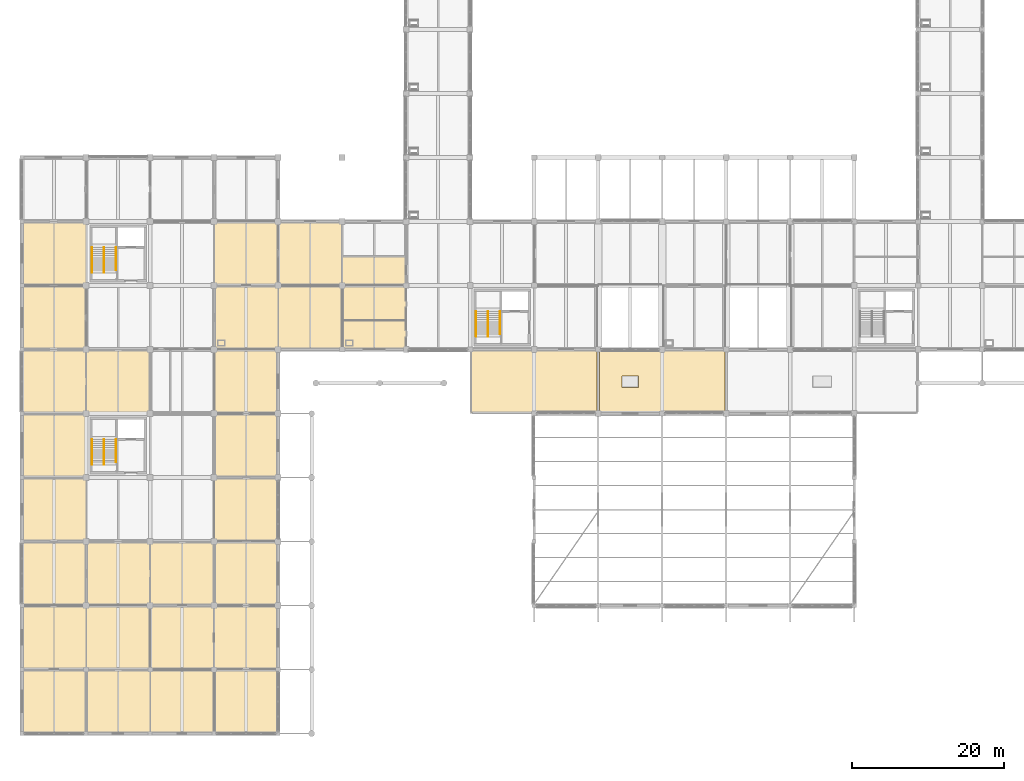
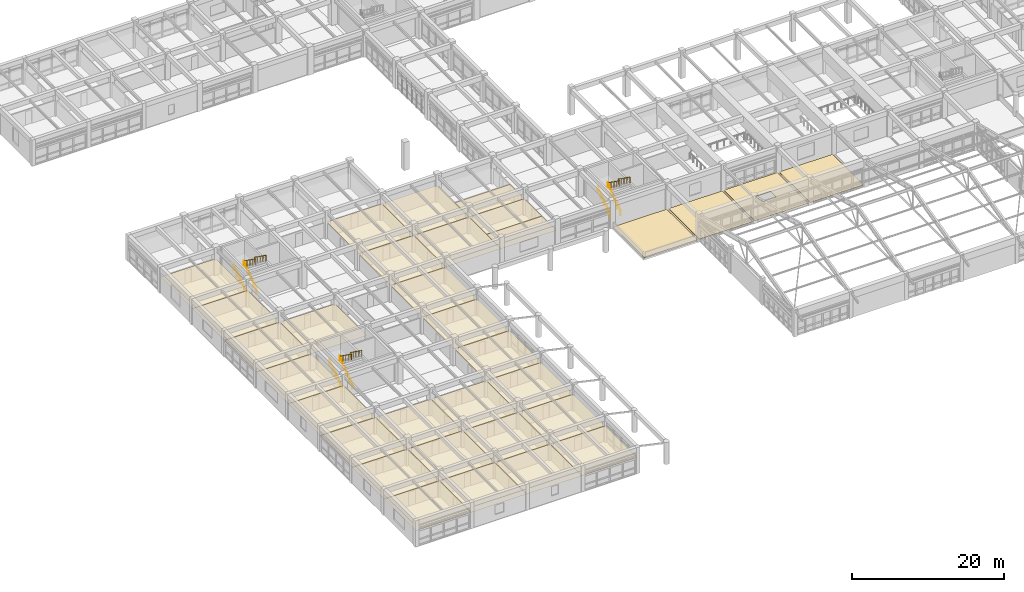
# One storey, part 96 of 99: 32 coverings, 12 railings.
"""IFC4 building model written with IfcOpenShell, lengths in metres."""

from ifc_helpers import new_model, si_unit, direction, frame, origin, origin_2d, place, context, subcontext, project, spatial, polyline, circle, outline, extrude, material, layer, layer_set, type_object, element, save


model = new_model("IFC4")

# Units and contexts
model_context = context("Model", 3, precision=1e-05, world=origin(), true_north=direction((0.0, 1.0)))
body_context = subcontext(model_context, "Body", "Model", "MODEL_VIEW")
ifc_project = project(units=[si_unit("LENGTHUNIT", "METRE"), si_unit("AREAUNIT", "SQUARE_METRE"), si_unit("VOLUMEUNIT", "CUBIC_METRE"), si_unit("PLANEANGLEUNIT", "RADIAN"), si_unit("MASSUNIT", "GRAM", prefix="KILO")], contexts=[model_context])

# Site, building, storey
site_placement = place(None, origin())
site = spatial("IfcSite", under=ifc_project, at=site_placement, CompositionType="ELEMENT")
building_placement = place(site_placement, origin())
building = spatial("IfcBuilding", under=site, at=building_placement, Name="Porcellanite Civic Hall", CompositionType="ELEMENT")
storey_placement = place(building_placement, frame((0.0, 0.0, 5.760009765625)))
storey = spatial("IfcBuildingStorey", under=building, at=storey_placement, Name="L01", CompositionType="ELEMENT", Elevation=5.760009765625)

# Coverings
ifc_material_1 = material(Name="Perforated acoustic mineral-fibre and spotted-gum batten ceiling")
ifc_layer_1 = layer(ifc_material_1, 0.02490234375)
ifc_layer_set_1 = layer_set([ifc_layer_1], Name="Perforated acoustic mineral-fibre and spotted-gum batten ceiling")
covering_type_1 = type_object("IfcCoveringType", Name="COV-CL1", PredefinedType="CEILING", material=ifc_layer_set_1)
covering_1_placement = place(storey_placement, frame((0.0, 0.0, 2.375)))
element("IfcCovering", 1, at=covering_1_placement, inside=storey, type_object=covering_type_1, Name="Acoustic ceiling Citizens Ombudsman Office L01-A", PredefinedType="CEILING", context=body_context, shape_type="SweptSolid", body=[
    extrude(outline(polyline([(42.010009765625, 50.409912109375), (50.389892578125, 50.409912109375), (50.389892578125, 54.18994140625), (42.010009765625, 54.18994140625), (42.010009765625, 50.409912109375)])), origin(), (0.0, 0.0, 1.0), 0.02490234375),
])
covering_2_placement = place(storey_placement, frame((0.0, 0.0, 2.375)))
element("IfcCovering", 2, at=covering_2_placement, inside=storey, type_object=covering_type_1, Name="Acoustic ceiling Legislative Counsel Office L01-B", PredefinedType="CEILING", context=body_context, shape_type="SweptSolid", body=[
    extrude(outline(polyline([(42.010009765625, 54.2099609375), (50.389892578125, 54.2099609375), (50.389892578125, 58.7900390625), (42.010009765625, 58.7900390625), (42.010009765625, 54.2099609375)])), origin(), (0.0, 0.0, 1.0), 0.02490234375),
])
covering_3_placement = place(storey_placement, frame((0.0, 0.0, 2.375)))
element("IfcCovering", 3, at=covering_3_placement, inside=storey, type_object=covering_type_1, Name="Acoustic ceiling Committee Briefing Room L01-A", PredefinedType="CEILING", context=body_context, shape_type="SweptSolid", body=[
    extrude(outline(polyline([(42.010009765625, 58.81005859375), (50.389892578125, 58.81005859375), (50.389892578125, 62.590087890625), (42.010009765625, 62.590087890625), (42.010009765625, 58.81005859375)])), origin(), (0.0, 0.0, 1.0), 0.02490234375),
])
covering_4_placement = place(storey_placement, frame((0.0, 0.0, 2.375)))
element("IfcCovering", 4, at=covering_4_placement, inside=storey, type_object=covering_type_1, Name="Acoustic ceiling Public Hearing Room L01-01", PredefinedType="CEILING", context=body_context, shape_type="SweptSolid", body=[
    extrude(outline(polyline([(0.010009765625, 0.010009765625), (8.389892578125, 0.010009765625), (8.389892578125, 8.389892578125), (0.010009765625, 8.389892578125), (0.010009765625, 0.010009765625)])), origin(), (0.0, 0.0, 1.0), 0.02490234375),
])
covering_5_placement = place(storey_placement, frame((0.0, 0.0, 2.375)))
element("IfcCovering", 5, at=covering_5_placement, inside=storey, type_object=covering_type_1, Name="Acoustic ceiling Hansard Witness Room L01-02", PredefinedType="CEILING", context=body_context, shape_type="SweptSolid", body=[
    extrude(outline(polyline([(0.010009765625, 8.409912109375), (8.389892578125, 8.409912109375), (8.389892578125, 16.7900390625), (0.010009765625, 16.7900390625), (0.010009765625, 8.409912109375)])), origin(), (0.0, 0.0, 1.0), 0.02490234375),
])
covering_6_placement = place(storey_placement, frame((0.0, 0.0, 2.375)))
element("IfcCovering", 6, at=covering_6_placement, inside=storey, type_object=covering_type_1, Name="Acoustic ceiling Committee Room L01-03", PredefinedType="CEILING", context=body_context, shape_type="SweptSolid", body=[
    extrude(outline(polyline([(0.010009765625, 16.81005859375), (8.389892578125, 16.81005859375), (8.389892578125, 25.18994140625), (0.010009765625, 25.18994140625), (0.010009765625, 16.81005859375)])), origin(), (0.0, 0.0, 1.0), 0.02490234375),
])
covering_7_placement = place(storey_placement, frame((0.0, 0.0, 2.375)))
element("IfcCovering", 7, at=covering_7_placement, inside=storey, type_object=covering_type_1, Name="Acoustic ceiling Standing Committee Suite L01-04", PredefinedType="CEILING", context=body_context, shape_type="SweptSolid", body=[
    extrude(outline(polyline([(0.010009765625, 25.2099609375), (8.389892578125, 25.2099609375), (8.389892578125, 33.590087890625), (0.010009765625, 33.590087890625), (0.010009765625, 25.2099609375)])), origin(), (0.0, 0.0, 1.0), 0.02490234375),
])
covering_8_placement = place(storey_placement, frame((0.0, 0.0, 2.375)))
element("IfcCovering", 8, at=covering_8_placement, inside=storey, type_object=covering_type_1, Name="Acoustic ceiling Legislative Inquiry Room L01-05", PredefinedType="CEILING", context=body_context, shape_type="SweptSolid", body=[
    extrude(outline(polyline([(0.010009765625, 33.610107421875), (8.389892578125, 33.610107421875), (8.389892578125, 41.989990234375), (0.010009765625, 41.989990234375), (0.010009765625, 33.610107421875)])), origin(), (0.0, 0.0, 1.0), 0.02490234375),
])
covering_9_placement = place(storey_placement, frame((0.0, 0.0, 2.375)))
element("IfcCovering", 9, at=covering_9_placement, inside=storey, type_object=covering_type_1, Name="Acoustic ceiling Public Hearing Room L01-06", PredefinedType="CEILING", context=body_context, shape_type="SweptSolid", body=[
    extrude(outline(polyline([(0.010009765625, 42.010009765625), (8.389892578125, 42.010009765625), (8.389892578125, 50.389892578125), (0.010009765625, 50.389892578125), (0.010009765625, 42.010009765625)])), origin(), (0.0, 0.0, 1.0), 0.02490234375),
])
covering_10_placement = place(storey_placement, frame((0.0, 0.0, 2.375)))
element("IfcCovering", 10, at=covering_10_placement, inside=storey, type_object=covering_type_1, Name="Acoustic ceiling Hansard Witness Room L01-07", PredefinedType="CEILING", context=body_context, shape_type="SweptSolid", body=[
    extrude(outline(polyline([(0.010009765625, 50.409912109375), (8.389892578125, 50.409912109375), (8.389892578125, 58.7900390625), (0.010009765625, 58.7900390625), (0.010009765625, 50.409912109375)])), origin(), (0.0, 0.0, 1.0), 0.02490234375),
])
covering_11_placement = place(storey_placement, frame((0.0, 0.0, 2.375)))
element("IfcCovering", 11, at=covering_11_placement, inside=storey, type_object=covering_type_1, Name="Acoustic ceiling Committee Room L01-08", PredefinedType="CEILING", context=body_context, shape_type="SweptSolid", body=[
    extrude(outline(polyline([(0.010009765625, 58.81005859375), (8.389892578125, 58.81005859375), (8.389892578125, 67.18994140625), (0.010009765625, 67.18994140625), (0.010009765625, 58.81005859375)])), origin(), (0.0, 0.0, 1.0), 0.02490234375),
])
covering_12_placement = place(storey_placement, frame((0.0, 0.0, 2.375)))
element("IfcCovering", 12, at=covering_12_placement, inside=storey, type_object=covering_type_1, Name="Acoustic ceiling Hansard Witness Room L01-12", PredefinedType="CEILING", context=body_context, shape_type="SweptSolid", body=[
    extrude(outline(polyline([(8.409912109375, 0.010009765625), (16.7900390625, 0.010009765625), (16.7900390625, 8.389892578125), (8.409912109375, 8.389892578125), (8.409912109375, 0.010009765625)])), origin(), (0.0, 0.0, 1.0), 0.02490234375),
])
covering_13_placement = place(storey_placement, frame((0.0, 0.0, 2.375)))
element("IfcCovering", 13, at=covering_13_placement, inside=storey, type_object=covering_type_1, Name="Acoustic ceiling Committee Room L01-13", PredefinedType="CEILING", context=body_context, shape_type="SweptSolid", body=[
    extrude(outline(polyline([(8.409912109375, 8.409912109375), (16.7900390625, 8.409912109375), (16.7900390625, 16.7900390625), (8.409912109375, 16.7900390625), (8.409912109375, 8.409912109375)])), origin(), (0.0, 0.0, 1.0), 0.02490234375),
])
covering_14_placement = place(storey_placement, frame((0.0, 0.0, 2.375)))
element("IfcCovering", 14, at=covering_14_placement, inside=storey, type_object=covering_type_1, Name="Acoustic ceiling Standing Committee Suite L01-14", PredefinedType="CEILING", context=body_context, shape_type="SweptSolid", body=[
    extrude(outline(polyline([(8.409912109375, 16.81005859375), (16.7900390625, 16.81005859375), (16.7900390625, 25.18994140625), (8.409912109375, 25.18994140625), (8.409912109375, 16.81005859375)])), origin(), (0.0, 0.0, 1.0), 0.02490234375),
])
covering_15_placement = place(storey_placement, frame((0.0, 0.0, 2.375)))
element("IfcCovering", 15, at=covering_15_placement, inside=storey, type_object=covering_type_1, Name="Acoustic ceiling Standing Committee Suite L01-16", PredefinedType="CEILING", context=body_context, shape_type="SweptSolid", body=[
    extrude(outline(polyline([(8.409912109375, 42.010009765625), (16.7900390625, 42.010009765625), (16.7900390625, 50.389892578125), (8.409912109375, 50.389892578125), (8.409912109375, 42.010009765625)])), origin(), (0.0, 0.0, 1.0), 0.02490234375),
])
covering_16_placement = place(storey_placement, frame((0.0, 0.0, 2.375)))
element("IfcCovering", 16, at=covering_16_placement, inside=storey, type_object=covering_type_1, Name="Acoustic ceiling Hansard Witness Room L01-21", PredefinedType="CEILING", context=body_context, shape_type="SweptSolid", body=[
    extrude(outline(polyline([(16.81005859375, 0.010009765625), (25.18994140625, 0.010009765625), (25.18994140625, 8.389892578125), (16.81005859375, 8.389892578125), (16.81005859375, 0.010009765625)])), origin(), (0.0, 0.0, 1.0), 0.02490234375),
])
covering_17_placement = place(storey_placement, frame((0.0, 0.0, 2.375)))
element("IfcCovering", 17, at=covering_17_placement, inside=storey, type_object=covering_type_1, Name="Acoustic ceiling Committee Room L01-22", PredefinedType="CEILING", context=body_context, shape_type="SweptSolid", body=[
    extrude(outline(polyline([(16.81005859375, 8.409912109375), (25.18994140625, 8.409912109375), (25.18994140625, 16.7900390625), (16.81005859375, 16.7900390625), (16.81005859375, 8.409912109375)])), origin(), (0.0, 0.0, 1.0), 0.02490234375),
])
covering_18_placement = place(storey_placement, frame((0.0, 0.0, 2.375)))
element("IfcCovering", 18, at=covering_18_placement, inside=storey, type_object=covering_type_1, Name="Acoustic ceiling Standing Committee Suite L01-23", PredefinedType="CEILING", context=body_context, shape_type="SweptSolid", body=[
    extrude(outline(polyline([(16.81005859375, 16.81005859375), (25.18994140625, 16.81005859375), (25.18994140625, 25.18994140625), (16.81005859375, 25.18994140625), (16.81005859375, 16.81005859375)])), origin(), (0.0, 0.0, 1.0), 0.02490234375),
])
covering_19_placement = place(storey_placement, frame((0.0, 0.0, 2.375)))
element("IfcCovering", 19, at=covering_19_placement, inside=storey, type_object=covering_type_1, Name="Acoustic ceiling Legislative Inquiry Room L01-31", PredefinedType="CEILING", context=body_context, shape_type="SweptSolid", body=[
    extrude(outline(polyline([(25.2099609375, 0.010009765625), (33.590087890625, 0.010009765625), (33.590087890625, 8.389892578125), (25.2099609375, 8.389892578125), (25.2099609375, 0.010009765625)])), origin(), (0.0, 0.0, 1.0), 0.02490234375),
])
covering_20_placement = place(storey_placement, frame((0.0, 0.0, 2.375)))
element("IfcCovering", 20, at=covering_20_placement, inside=storey, type_object=covering_type_1, Name="Acoustic ceiling Public Hearing Room L01-32", PredefinedType="CEILING", context=body_context, shape_type="SweptSolid", body=[
    extrude(outline(polyline([(25.2099609375, 8.409912109375), (33.590087890625, 8.409912109375), (33.590087890625, 16.7900390625), (25.2099609375, 16.7900390625), (25.2099609375, 8.409912109375)])), origin(), (0.0, 0.0, 1.0), 0.02490234375),
])
covering_21_placement = place(storey_placement, frame((0.0, 0.0, 2.375)))
element("IfcCovering", 21, at=covering_21_placement, inside=storey, type_object=covering_type_1, Name="Acoustic ceiling Hansard Witness Room L01-33", PredefinedType="CEILING", context=body_context, shape_type="SweptSolid", body=[
    extrude(outline(polyline([(25.2099609375, 16.81005859375), (33.590087890625, 16.81005859375), (33.590087890625, 25.18994140625), (25.2099609375, 25.18994140625), (25.2099609375, 16.81005859375)])), origin(), (0.0, 0.0, 1.0), 0.02490234375),
])
covering_22_placement = place(storey_placement, frame((0.0, 0.0, 2.375)))
element("IfcCovering", 22, at=covering_22_placement, inside=storey, type_object=covering_type_1, Name="Acoustic ceiling Committee Room L01-34", PredefinedType="CEILING", context=body_context, shape_type="SweptSolid", body=[
    extrude(outline(polyline([(25.2099609375, 25.2099609375), (33.590087890625, 25.2099609375), (33.590087890625, 33.590087890625), (25.2099609375, 33.590087890625), (25.2099609375, 25.2099609375)])), origin(), (0.0, 0.0, 1.0), 0.02490234375),
])
covering_23_placement = place(storey_placement, frame((0.0, 0.0, 2.375)))
element("IfcCovering", 23, at=covering_23_placement, inside=storey, type_object=covering_type_1, Name="Acoustic ceiling Standing Committee Suite L01-35", PredefinedType="CEILING", context=body_context, shape_type="SweptSolid", body=[
    extrude(outline(polyline([(25.2099609375, 33.610107421875), (33.590087890625, 33.610107421875), (33.590087890625, 41.989990234375), (25.2099609375, 41.989990234375), (25.2099609375, 33.610107421875)])), origin(), (0.0, 0.0, 1.0), 0.02490234375),
])
covering_24_placement = place(storey_placement, frame((0.0, 0.0, 2.375)))
element("IfcCovering", 24, at=covering_24_placement, inside=storey, type_object=covering_type_1, Name="Acoustic ceiling Legislative Inquiry Room L01-36", PredefinedType="CEILING", context=body_context, shape_type="SweptSolid", body=[
    extrude(outline(polyline([(25.2099609375, 42.010009765625), (33.590087890625, 42.010009765625), (33.590087890625, 50.389892578125), (25.2099609375, 50.389892578125), (25.2099609375, 42.010009765625)])), origin(), (0.0, 0.0, 1.0), 0.02490234375),
])
covering_25_placement = place(storey_placement, frame((0.0, 0.0, 2.375)))
element("IfcCovering", 25, at=covering_25_placement, inside=storey, type_object=covering_type_1, Name="Acoustic ceiling Public Hearing Room L01-37", PredefinedType="CEILING", context=body_context, shape_type="SweptSolid", body=[
    extrude(outline(polyline([(25.2099609375, 50.409912109375), (33.590087890625, 50.409912109375), (33.590087890625, 58.7900390625), (25.2099609375, 58.7900390625), (25.2099609375, 50.409912109375)])), origin(), (0.0, 0.0, 1.0), 0.02490234375),
])
covering_26_placement = place(storey_placement, frame((0.0, 0.0, 2.375)))
element("IfcCovering", 26, at=covering_26_placement, inside=storey, type_object=covering_type_1, Name="Acoustic ceiling Hansard Witness Room L01-38", PredefinedType="CEILING", context=body_context, shape_type="SweptSolid", body=[
    extrude(outline(polyline([(25.2099609375, 58.81005859375), (33.590087890625, 58.81005859375), (33.590087890625, 67.18994140625), (25.2099609375, 67.18994140625), (25.2099609375, 58.81005859375)])), origin(), (0.0, 0.0, 1.0), 0.02490234375),
])
covering_27_placement = place(storey_placement, frame((0.0, 0.0, 2.375)))
element("IfcCovering", 27, at=covering_27_placement, inside=storey, type_object=covering_type_1, Name="Acoustic ceiling Standing Committee Suite L01-42", PredefinedType="CEILING", context=body_context, shape_type="SweptSolid", body=[
    extrude(outline(polyline([(33.610107421875, 50.409912109375), (41.989990234375, 50.409912109375), (41.989990234375, 58.7900390625), (33.610107421875, 58.7900390625), (33.610107421875, 50.409912109375)])), origin(), (0.0, 0.0, 1.0), 0.02490234375),
])
covering_28_placement = place(storey_placement, frame((0.0, 0.0, 2.375)))
element("IfcCovering", 28, at=covering_28_placement, inside=storey, type_object=covering_type_1, Name="Acoustic ceiling Legislative Inquiry Room L01-43", PredefinedType="CEILING", context=body_context, shape_type="SweptSolid", body=[
    extrude(outline(polyline([(33.610107421875, 58.81005859375), (41.989990234375, 58.81005859375), (41.989990234375, 67.18994140625), (33.610107421875, 67.18994140625), (33.610107421875, 58.81005859375)])), origin(), (0.0, 0.0, 1.0), 0.02490234375),
])
ifc_material_2 = material(Name="Insulated light-reflective TPO monsoon roofing membrane")
ifc_layer_2 = layer(ifc_material_2, 0.080078125)
ifc_layer_set_2 = layer_set([ifc_layer_2], Name="Insulated light-reflective TPO monsoon roofing membrane")
covering_type_2 = type_object("IfcCoveringType", Name="COV-RF1", PredefinedType="ROOFING", material=ifc_layer_set_2)
covering_29_placement = place(storey_placement, origin())
element("IfcCovering", 29, at=covering_29_placement, inside=storey, type_object=covering_type_2, Name="Roof membrane L01 10-6", PredefinedType="ROOFING", context=body_context, shape_type="SweptSolid", body=[
    extrude(outline(polyline([(75.75, 42.14990234375), (83.85009765625, 42.14990234375), (83.85009765625, 50.25), (75.75, 50.25), (75.75, 42.14990234375)]), holes=[polyline([(78.699951171875, 45.449951171875), (80.89990234375, 45.449951171875), (80.89990234375, 46.949951171875), (78.699951171875, 46.949951171875), (78.699951171875, 45.449951171875)])]), origin(), (0.0, 0.0, 1.0), 0.080078125),
])
ifc_material_3 = material(Name="Insulated light-reflective TPO monsoon roofing membrane")
ifc_layer_3 = layer(ifc_material_3, 0.070068359375)
ifc_layer_set_3 = layer_set([ifc_layer_3], Name="Insulated light-reflective TPO monsoon roofing membrane")
covering_type_3 = type_object("IfcCoveringType", Name="COV-RF2", PredefinedType="ROOFING", material=ifc_layer_set_3)
covering_30_placement = place(storey_placement, origin())
element("IfcCovering", 30, at=covering_30_placement, inside=storey, type_object=covering_type_3, Name="Roof membrane L01 8-6", PredefinedType="ROOFING", context=body_context, shape_type="SweptSolid", body=[
    extrude(outline(polyline([(58.949951171875, 42.14990234375), (67.050048828125, 42.14990234375), (67.050048828125, 50.25), (58.949951171875, 50.25), (58.949951171875, 42.14990234375)])), origin(), (0.0, 0.0, 1.0), 0.070068359375),
])
covering_31_placement = place(storey_placement, origin())
element("IfcCovering", 31, at=covering_31_placement, inside=storey, type_object=covering_type_3, Name="Roof membrane L01 11-6", PredefinedType="ROOFING", context=body_context, shape_type="SweptSolid", body=[
    extrude(outline(polyline([(84.14990234375, 42.14990234375), (92.25, 42.14990234375), (92.25, 50.25), (84.14990234375, 50.25), (84.14990234375, 42.14990234375)])), origin(), (0.0, 0.0, 1.0), 0.070068359375),
])
ifc_material_4 = material(Name="Insulated light-reflective TPO monsoon roofing membrane")
ifc_layer_4 = layer(ifc_material_4, 0.06005859375)
ifc_layer_set_4 = layer_set([ifc_layer_4], Name="Insulated light-reflective TPO monsoon roofing membrane")
covering_type_4 = type_object("IfcCoveringType", Name="COV-RF3", PredefinedType="ROOFING", material=ifc_layer_set_4)
covering_32_placement = place(storey_placement, origin())
element("IfcCovering", 32, at=covering_32_placement, inside=storey, type_object=covering_type_4, Name="Roof membrane L01 9-6", PredefinedType="ROOFING", context=body_context, shape_type="SweptSolid", body=[
    extrude(outline(polyline([(67.35009765625, 42.14990234375), (75.449951171875, 42.14990234375), (75.449951171875, 50.25), (67.35009765625, 50.25), (67.35009765625, 42.14990234375)])), origin(), (0.0, 0.0, 1.0), 0.06005859375),
])

# Railings
ifc_material_5 = material(Name="Brushed stainless steel 316", Category="steel")
railing_type_1 = type_object("IfcRailingType", Name="RL-HR920", PredefinedType="HANDRAIL", material=ifc_material_5)
railing_1_placement = place(storey_placement, frame((9.18505859375, 35.324951171875, 0.0)))
element("IfcRailing", 33, at=railing_1_placement, inside=storey, type_object=railing_type_1, Name="Stair handrail ST-01 L01 1", PredefinedType="HANDRAIL", context=body_context, shape_type="SweptSolid", body=[
    extrude(circle(Radius=0.02197265625, at=origin_2d()), frame((0.0, 0.0, 0.89794921875), z_axis=(0.0, 0.815726678323, 0.578437538782), x_axis=(-1.0, 0.0, 0.0)), (0.0, 0.0, 1.0), 4.045654296875),
    extrude(circle(Radius=0.01904296875, at=origin_2d()), origin(), (0.0, 0.0, 1.0), 0.8759765625),
    extrude(circle(Radius=0.01904296875, at=origin_2d()), frame((0.0, 0.824951171875, 0.5849609375)), (0.0, 0.0, 1.0), 0.8759765625),
    extrude(circle(Radius=0.01904296875, at=origin_2d()), frame((0.0, 1.64990234375, 1.169921875)), (0.0, 0.0, 1.0), 0.8759765625),
    extrude(circle(Radius=0.01904296875, at=origin_2d()), frame((0.0, 2.47509765625, 1.755126953125)), (0.0, 0.0, 1.0), 0.8759765625),
    extrude(circle(Radius=0.01904296875, at=origin_2d()), frame((0.0, 3.300048828125, 2.340087890625)), (0.0, 0.0, 1.0), 0.8759765625),
])
railing_2_placement = place(storey_placement, frame((10.764892578125, 38.625, 2.340087890625)))
element("IfcRailing", 34, at=railing_2_placement, inside=storey, type_object=railing_type_1, Name="Stair handrail ST-01 L01 3", PredefinedType="HANDRAIL", context=body_context, shape_type="SweptSolid", body=[
    extrude(circle(Radius=0.02197265625, at=origin_2d()), frame((0.0, 0.0, 0.89794921875), z_axis=(0.0, -0.813826661234, 0.581107705564), x_axis=(1.0, 0.0, 0.0)), (0.0, 0.0, 1.0), 3.716796875),
    extrude(circle(Radius=0.01904296875, at=origin_2d()), origin(), (0.0, 0.0, 1.0), 0.8759765625),
    extrude(circle(Radius=0.01904296875, at=origin_2d()), frame((0.0, -0.75634765625, 0.5400390625)), (0.0, 0.0, 1.0), 0.8759765625),
    extrude(circle(Radius=0.01904296875, at=origin_2d()), frame((0.0, -1.512451171875, 1.080078125)), (0.0, 0.0, 1.0), 0.8759765625),
    extrude(circle(Radius=0.01904296875, at=origin_2d()), frame((0.0, -2.2685546875, 1.619873046875)), (0.0, 0.0, 1.0), 0.8759765625),
    extrude(circle(Radius=0.01904296875, at=origin_2d()), frame((0.0, -3.02490234375, 2.159912109375)), (0.0, 0.0, 1.0), 0.8759765625),
])
railing_3_placement = place(storey_placement, frame((9.18505859375, 60.52490234375, 0.0)))
element("IfcRailing", 35, at=railing_3_placement, inside=storey, type_object=railing_type_1, Name="Stair handrail ST-02 L01 1", PredefinedType="HANDRAIL", context=body_context, shape_type="SweptSolid", body=[
    extrude(circle(Radius=0.02197265625, at=origin_2d()), frame((0.0, 0.0, 0.89794921875), z_axis=(0.0, 0.815726678323, 0.578437538782), x_axis=(-1.0, 0.0, 0.0)), (0.0, 0.0, 1.0), 4.045654296875),
    extrude(circle(Radius=0.01904296875, at=origin_2d()), origin(), (0.0, 0.0, 1.0), 0.8759765625),
    extrude(circle(Radius=0.01904296875, at=origin_2d()), frame((0.0, 0.824951171875, 0.5849609375)), (0.0, 0.0, 1.0), 0.8759765625),
    extrude(circle(Radius=0.01904296875, at=origin_2d()), frame((0.0, 1.64990234375, 1.169921875)), (0.0, 0.0, 1.0), 0.8759765625),
    extrude(circle(Radius=0.01904296875, at=origin_2d()), frame((0.0, 2.47509765625, 1.755126953125)), (0.0, 0.0, 1.0), 0.8759765625),
    extrude(circle(Radius=0.01904296875, at=origin_2d()), frame((0.0, 3.300048828125, 2.340087890625)), (0.0, 0.0, 1.0), 0.8759765625),
])
railing_4_placement = place(storey_placement, frame((10.764892578125, 63.824951171875, 2.340087890625)))
element("IfcRailing", 36, at=railing_4_placement, inside=storey, type_object=railing_type_1, Name="Stair handrail ST-02 L01 3", PredefinedType="HANDRAIL", context=body_context, shape_type="SweptSolid", body=[
    extrude(circle(Radius=0.02197265625, at=origin_2d()), frame((0.0, 0.0, 0.89794921875), z_axis=(0.0, -0.813826661234, 0.581107705564), x_axis=(1.0, 0.0, 0.0)), (0.0, 0.0, 1.0), 3.716796875),
    extrude(circle(Radius=0.01904296875, at=origin_2d()), origin(), (0.0, 0.0, 1.0), 0.8759765625),
    extrude(circle(Radius=0.01904296875, at=origin_2d()), frame((0.0, -0.75634765625, 0.5400390625)), (0.0, 0.0, 1.0), 0.8759765625),
    extrude(circle(Radius=0.01904296875, at=origin_2d()), frame((0.0, -1.512451171875, 1.080078125)), (0.0, 0.0, 1.0), 0.8759765625),
    extrude(circle(Radius=0.01904296875, at=origin_2d()), frame((0.0, -2.2685546875, 1.619873046875)), (0.0, 0.0, 1.0), 0.8759765625),
    extrude(circle(Radius=0.01904296875, at=origin_2d()), frame((0.0, -3.02490234375, 2.159912109375)), (0.0, 0.0, 1.0), 0.8759765625),
])
railing_5_placement = place(storey_placement, frame((59.5849609375, 52.125, 0.0)))
element("IfcRailing", 37, at=railing_5_placement, inside=storey, type_object=railing_type_1, Name="Stair handrail ST-05 L01 1", PredefinedType="HANDRAIL", context=body_context, shape_type="SweptSolid", body=[
    extrude(circle(Radius=0.02197265625, at=origin_2d()), frame((0.0, 0.0, 0.89794921875), z_axis=(0.0, 0.815726678323, 0.578437538782), x_axis=(-1.0, 0.0, 0.0)), (0.0, 0.0, 1.0), 4.045654296875),
    extrude(circle(Radius=0.01904296875, at=origin_2d()), origin(), (0.0, 0.0, 1.0), 0.8759765625),
    extrude(circle(Radius=0.01904296875, at=origin_2d()), frame((0.0, 0.824951171875, 0.5849609375)), (0.0, 0.0, 1.0), 0.8759765625),
    extrude(circle(Radius=0.01904296875, at=origin_2d()), frame((0.0, 1.64990234375, 1.169921875)), (0.0, 0.0, 1.0), 0.8759765625),
    extrude(circle(Radius=0.01904296875, at=origin_2d()), frame((0.0, 2.47509765625, 1.755126953125)), (0.0, 0.0, 1.0), 0.8759765625),
    extrude(circle(Radius=0.01904296875, at=origin_2d()), frame((0.0, 3.300048828125, 2.340087890625)), (0.0, 0.0, 1.0), 0.8759765625),
])
railing_6_placement = place(storey_placement, frame((61.1650390625, 55.425048828125, 2.340087890625)))
element("IfcRailing", 38, at=railing_6_placement, inside=storey, type_object=railing_type_1, Name="Stair handrail ST-05 L01 3", PredefinedType="HANDRAIL", context=body_context, shape_type="SweptSolid", body=[
    extrude(circle(Radius=0.02197265625, at=origin_2d()), frame((0.0, 0.0, 0.89794921875), z_axis=(0.0, -0.813848840085, 0.581076643389), x_axis=(1.0, 0.0, 0.0)), (0.0, 0.0, 1.0), 3.717041015625),
    extrude(circle(Radius=0.01904296875, at=origin_2d()), origin(), (0.0, 0.0, 1.0), 0.8759765625),
    extrude(circle(Radius=0.01904296875, at=origin_2d()), frame((0.0, -0.75634765625, 0.5400390625)), (0.0, 0.0, 1.0), 0.8759765625),
    extrude(circle(Radius=0.01904296875, at=origin_2d()), frame((0.0, -1.5126953125, 1.080078125)), (0.0, 0.0, 1.0), 0.8759765625),
    extrude(circle(Radius=0.01904296875, at=origin_2d()), frame((0.0, -2.268798828125, 1.619873046875)), (0.0, 0.0, 1.0), 0.8759765625),
    extrude(circle(Radius=0.01904296875, at=origin_2d()), frame((0.0, -3.025146484375, 2.159912109375)), (0.0, 0.0, 1.0), 0.8759765625),
])
ifc_material_6 = material(Name="Brushed stainless steel 316", Category="steel")
railing_type_2 = type_object("IfcRailingType", Name="RL-HR950", PredefinedType="HANDRAIL", material=ifc_material_6)
railing_7_placement = place(storey_placement, frame((10.735107421875, 35.324951171875, 0.0)))
element("IfcRailing", 39, at=railing_7_placement, inside=storey, type_object=railing_type_2, Name="Stair handrail ST-01 L01 2", PredefinedType="HANDRAIL", context=body_context, shape_type="SweptSolid", body=[
    extrude(circle(Radius=0.02197265625, at=origin_2d()), frame((0.0, 0.0, 0.927978515625), z_axis=(0.0, 0.815726678323, 0.578437538782), x_axis=(-1.0, 0.0, 0.0)), (0.0, 0.0, 1.0), 4.045654296875),
    extrude(circle(Radius=0.01904296875, at=origin_2d()), origin(), (0.0, 0.0, 1.0), 0.906005859375),
    extrude(circle(Radius=0.01904296875, at=origin_2d()), frame((0.0, 0.824951171875, 0.5849609375)), (0.0, 0.0, 1.0), 0.906005859375),
    extrude(circle(Radius=0.01904296875, at=origin_2d()), frame((0.0, 1.64990234375, 1.169921875)), (0.0, 0.0, 1.0), 0.906005859375),
    extrude(circle(Radius=0.01904296875, at=origin_2d()), frame((0.0, 2.47509765625, 1.755126953125)), (0.0, 0.0, 1.0), 0.906005859375),
    extrude(circle(Radius=0.01904296875, at=origin_2d()), frame((0.0, 3.300048828125, 2.340087890625)), (0.0, 0.0, 1.0), 0.906005859375),
])
railing_8_placement = place(storey_placement, frame((12.31494140625, 38.625, 2.340087890625)))
element("IfcRailing", 40, at=railing_8_placement, inside=storey, type_object=railing_type_2, Name="Stair handrail ST-01 L01 4", PredefinedType="HANDRAIL", context=body_context, shape_type="SweptSolid", body=[
    extrude(circle(Radius=0.02197265625, at=origin_2d()), frame((0.0, 0.0, 0.927978515625), z_axis=(0.0, -0.813826661234, 0.581107705564), x_axis=(1.0, 0.0, 0.0)), (0.0, 0.0, 1.0), 3.716796875),
    extrude(circle(Radius=0.01904296875, at=origin_2d()), origin(), (0.0, 0.0, 1.0), 0.906005859375),
    extrude(circle(Radius=0.01904296875, at=origin_2d()), frame((0.0, -0.75634765625, 0.5400390625)), (0.0, 0.0, 1.0), 0.906005859375),
    extrude(circle(Radius=0.01904296875, at=origin_2d()), frame((0.0, -1.512451171875, 1.080078125)), (0.0, 0.0, 1.0), 0.906005859375),
    extrude(circle(Radius=0.01904296875, at=origin_2d()), frame((0.0, -2.2685546875, 1.619873046875)), (0.0, 0.0, 1.0), 0.906005859375),
    extrude(circle(Radius=0.01904296875, at=origin_2d()), frame((0.0, -3.02490234375, 2.159912109375)), (0.0, 0.0, 1.0), 0.906005859375),
])
railing_9_placement = place(storey_placement, frame((10.735107421875, 60.52490234375, 0.0)))
element("IfcRailing", 41, at=railing_9_placement, inside=storey, type_object=railing_type_2, Name="Stair handrail ST-02 L01 2", PredefinedType="HANDRAIL", context=body_context, shape_type="SweptSolid", body=[
    extrude(circle(Radius=0.02197265625, at=origin_2d()), frame((0.0, 0.0, 0.927978515625), z_axis=(0.0, 0.815726678323, 0.578437538782), x_axis=(-1.0, 0.0, 0.0)), (0.0, 0.0, 1.0), 4.045654296875),
    extrude(circle(Radius=0.01904296875, at=origin_2d()), origin(), (0.0, 0.0, 1.0), 0.906005859375),
    extrude(circle(Radius=0.01904296875, at=origin_2d()), frame((0.0, 0.824951171875, 0.5849609375)), (0.0, 0.0, 1.0), 0.906005859375),
    extrude(circle(Radius=0.01904296875, at=origin_2d()), frame((0.0, 1.64990234375, 1.169921875)), (0.0, 0.0, 1.0), 0.906005859375),
    extrude(circle(Radius=0.01904296875, at=origin_2d()), frame((0.0, 2.47509765625, 1.755126953125)), (0.0, 0.0, 1.0), 0.906005859375),
    extrude(circle(Radius=0.01904296875, at=origin_2d()), frame((0.0, 3.300048828125, 2.340087890625)), (0.0, 0.0, 1.0), 0.906005859375),
])
railing_10_placement = place(storey_placement, frame((12.31494140625, 63.824951171875, 2.340087890625)))
element("IfcRailing", 42, at=railing_10_placement, inside=storey, type_object=railing_type_2, Name="Stair handrail ST-02 L01 4", PredefinedType="HANDRAIL", context=body_context, shape_type="SweptSolid", body=[
    extrude(circle(Radius=0.02197265625, at=origin_2d()), frame((0.0, 0.0, 0.927978515625), z_axis=(0.0, -0.813826661234, 0.581107705564), x_axis=(1.0, 0.0, 0.0)), (0.0, 0.0, 1.0), 3.716796875),
    extrude(circle(Radius=0.01904296875, at=origin_2d()), origin(), (0.0, 0.0, 1.0), 0.906005859375),
    extrude(circle(Radius=0.01904296875, at=origin_2d()), frame((0.0, -0.75634765625, 0.5400390625)), (0.0, 0.0, 1.0), 0.906005859375),
    extrude(circle(Radius=0.01904296875, at=origin_2d()), frame((0.0, -1.512451171875, 1.080078125)), (0.0, 0.0, 1.0), 0.906005859375),
    extrude(circle(Radius=0.01904296875, at=origin_2d()), frame((0.0, -2.2685546875, 1.619873046875)), (0.0, 0.0, 1.0), 0.906005859375),
    extrude(circle(Radius=0.01904296875, at=origin_2d()), frame((0.0, -3.02490234375, 2.159912109375)), (0.0, 0.0, 1.0), 0.906005859375),
])
railing_11_placement = place(storey_placement, frame((61.135009765625, 52.125, 0.0)))
element("IfcRailing", 43, at=railing_11_placement, inside=storey, type_object=railing_type_2, Name="Stair handrail ST-05 L01 2", PredefinedType="HANDRAIL", context=body_context, shape_type="SweptSolid", body=[
    extrude(circle(Radius=0.02197265625, at=origin_2d()), frame((0.0, 0.0, 0.927978515625), z_axis=(0.0, 0.815726678323, 0.578437538782), x_axis=(-1.0, 0.0, 0.0)), (0.0, 0.0, 1.0), 4.045654296875),
    extrude(circle(Radius=0.01904296875, at=origin_2d()), origin(), (0.0, 0.0, 1.0), 0.906005859375),
    extrude(circle(Radius=0.01904296875, at=origin_2d()), frame((0.0, 0.824951171875, 0.5849609375)), (0.0, 0.0, 1.0), 0.906005859375),
    extrude(circle(Radius=0.01904296875, at=origin_2d()), frame((0.0, 1.64990234375, 1.169921875)), (0.0, 0.0, 1.0), 0.906005859375),
    extrude(circle(Radius=0.01904296875, at=origin_2d()), frame((0.0, 2.47509765625, 1.755126953125)), (0.0, 0.0, 1.0), 0.906005859375),
    extrude(circle(Radius=0.01904296875, at=origin_2d()), frame((0.0, 3.300048828125, 2.340087890625)), (0.0, 0.0, 1.0), 0.906005859375),
])
railing_12_placement = place(storey_placement, frame((62.715087890625, 55.425048828125, 2.340087890625)))
element("IfcRailing", 44, at=railing_12_placement, inside=storey, type_object=railing_type_2, Name="Stair handrail ST-05 L01 4", PredefinedType="HANDRAIL", context=body_context, shape_type="SweptSolid", body=[
    extrude(circle(Radius=0.02197265625, at=origin_2d()), frame((0.0, 0.0, 0.927978515625), z_axis=(0.0, -0.813848840085, 0.581076643389), x_axis=(1.0, 0.0, 0.0)), (0.0, 0.0, 1.0), 3.717041015625),
    extrude(circle(Radius=0.01904296875, at=origin_2d()), origin(), (0.0, 0.0, 1.0), 0.906005859375),
    extrude(circle(Radius=0.01904296875, at=origin_2d()), frame((0.0, -0.75634765625, 0.5400390625)), (0.0, 0.0, 1.0), 0.906005859375),
    extrude(circle(Radius=0.01904296875, at=origin_2d()), frame((0.0, -1.5126953125, 1.080078125)), (0.0, 0.0, 1.0), 0.906005859375),
    extrude(circle(Radius=0.01904296875, at=origin_2d()), frame((0.0, -2.268798828125, 1.619873046875)), (0.0, 0.0, 1.0), 0.906005859375),
    extrude(circle(Radius=0.01904296875, at=origin_2d()), frame((0.0, -3.025146484375, 2.159912109375)), (0.0, 0.0, 1.0), 0.906005859375),
])

save(model, "model.ifc")
